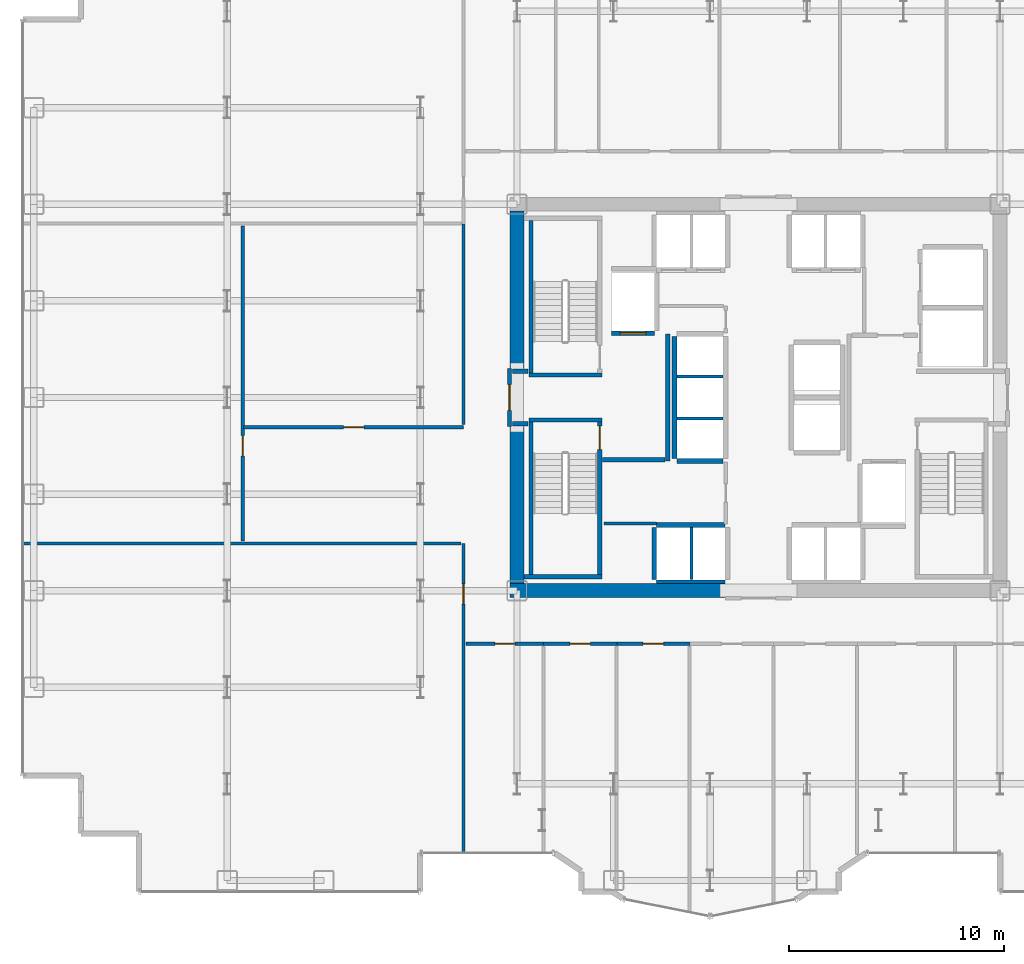
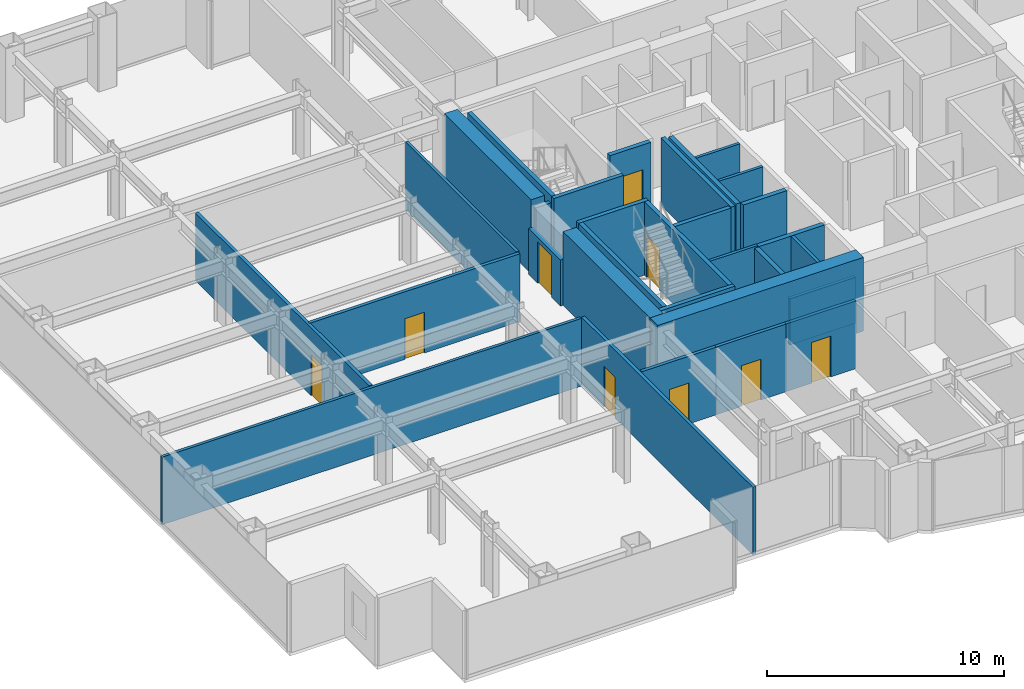
# One storey, part 20 of 26: 32 walls, 9 doors, 9 openings.
"""IFC4 building model written with IfcOpenShell, lengths in metres."""

from ifc_helpers import new_model, si_unit, direction, frame, frame_2d, origin, place, context, subcontext, project, spatial, rectangle, extrude, source, transform, mapped, material, layer, layer_set, type_object, element, fill, save


model = new_model("IFC4")

# Units and contexts
model_context = context("Model", 3, precision=1e-05, world=origin(), true_north=direction((0.0, 1.0)))
body_context = subcontext(model_context, "Body", "Model", "MODEL_VIEW")
ifc_project = project(units=[si_unit("LENGTHUNIT", "METRE"), si_unit("AREAUNIT", "SQUARE_METRE"), si_unit("VOLUMEUNIT", "CUBIC_METRE"), si_unit("PLANEANGLEUNIT", "RADIAN"), si_unit("MASSUNIT", "GRAM", prefix="KILO")], contexts=[model_context])

# Site, building, storey
site_placement = place(None, origin())
site = spatial("IfcSite", under=ifc_project, at=site_placement, CompositionType="ELEMENT")
building_placement = place(site_placement, origin())
building = spatial("IfcBuilding", under=site, at=building_placement, Name="Nefas-Gora Pilgrimage Tower", CompositionType="ELEMENT")
storey_placement = place(building_placement, frame((0.0, 0.0, 82.39990234375)))
storey = spatial("IfcBuildingStorey", under=building, at=storey_placement, Name="L19", CompositionType="ELEMENT", Elevation=82.39990234375)

# Walls
ifc_material_1 = material(Name="Concrete C60/75", Category="concrete")
ifc_layer_1 = layer(ifc_material_1, 0.64990234375)
ifc_layer_set_1 = layer_set([ifc_layer_1], Name="Concrete C60/75")
wall_type_1 = type_object("IfcWallType", Name="SW-CORE-650", PredefinedType="SHEAR", material=ifc_layer_set_1)
shared_shape_1 = source(origin(), body_context, "Body", "SweptSolid", [
    extrude(rectangle(XDim=10.02490234375, YDim=0.64990234375, at=frame_2d((5.012451171875, 0.0))), origin(), (0.0, 0.0, 1.0), 3.800048828125),
])
wall_1_placement = place(storey_placement, frame((-11.574951171875, -9.0, 0.0), z_axis=(0.0, 0.0, 1.0), x_axis=(1.0, 0.0, 0.0)))
element("IfcWall", 1, at=wall_1_placement, inside=storey, type_object=wall_type_1, Name="L19 Core Shear Wall S-West", PredefinedType="SHEAR", context=body_context, shape_type="MappedRepresentation", body=[
    mapped(shared_shape_1, transform((0.0, 0.0, 0.0), x_axis=(1.0, 0.0, 0.0), y_axis=(0.0, 1.0, 0.0), z_axis=(0.0, 0.0, 1.0), scale=1.0)),
])
shared_shape_2 = source(origin(), body_context, "Body", "SweptSolid", [
    extrude(rectangle(XDim=7.324951171875, YDim=0.64990234375, at=frame_2d((3.66259765625, 0.0))), origin(), (0.0, 0.0, 1.0), 3.800048828125),
])
for number, where, z_axis, x_axis, name in (
    (2, (-11.25, -8.675048828125, 0.0), (0.0, 0.0, 1.0), (0.0, 1.0, 0.0), "L19 Core Shear Wall W-South"),
    (3, (-11.25, 1.35009765625, 0.0), (0.0, 0.0, 1.0), (0.0, 1.0, 0.0), "L19 Core Shear Wall W-North"),
):
    element("IfcWall", number, at=place(storey_placement, frame(where, z_axis=z_axis, x_axis=x_axis)), inside=storey, type_object=wall_type_1, Name=name, PredefinedType="SHEAR", context=body_context, shape_type="MappedRepresentation", body=[
        mapped(shared_shape_2, transform((0.0, 0.0, 0.0), x_axis=(1.0, 0.0, 0.0), y_axis=(0.0, 1.0, 0.0), z_axis=(0.0, 0.0, 1.0), scale=1.0)),
    ])
ifc_material_2 = material(Name="Concrete C45/55", Category="concrete")
ifc_layer_2 = layer(ifc_material_2, 0.199951171875)
ifc_layer_set_2 = layer_set([ifc_layer_2], Name="Concrete C45/55")
wall_type_2 = type_object("IfcWallType", Name="IW-STAIR-200", PredefinedType="SOLIDWALL", material=ifc_layer_set_2)
shared_shape_3 = source(origin(), body_context, "Body", "SweptSolid", [
    extrude(rectangle(XDim=3.39990234375, YDim=0.199951171875, at=frame_2d((1.699951171875, 0.0))), origin(), (0.0, 0.0, 1.0), 3.800048828125),
])
for number, where, z_axis, x_axis, name in (
    (4, (-7.300048828125, 1.050048828125, 0.0), (0.0, 0.0, 1.0), (-1.0, 0.0, 0.0), "L19 Stairwell Shear Wall ST-01-near"),
    (5, (-10.699951171875, -1.050048828125, 0.0), (0.0, 0.0, 1.0), (1.0, 0.0, 0.0), "L19 Stairwell Shear Wall ST-03-near"),
):
    element("IfcWall", number, at=place(storey_placement, frame(where, z_axis=z_axis, x_axis=x_axis)), inside=storey, type_object=wall_type_2, Name=name, PredefinedType="SOLIDWALL", context=body_context, shape_type="MappedRepresentation", body=[
        mapped(shared_shape_3, transform((0.0, 0.0, 0.0), x_axis=(1.0, 0.0, 0.0), y_axis=(0.0, 1.0, 0.0), z_axis=(0.0, 0.0, 1.0), scale=1.0)),
    ])
shared_shape_4 = source(origin(), body_context, "Body", "SweptSolid", [
    extrude(rectangle(XDim=3.6298828125, YDim=0.199951171875, at=frame_2d((1.81494140625, 0.0))), origin(), (0.0, 0.0, 1.0), 3.800048828125),
])
wall_2_placement = place(storey_placement, frame((-10.929931640625, -8.35009765625, 0.0), z_axis=(0.0, 0.0, 1.0), x_axis=(1.0, 0.0, 0.0)))
element("IfcWall", 6, at=wall_2_placement, inside=storey, type_object=wall_type_2, Name="L19 Stairwell Shear Wall ST-03-far", PredefinedType="SOLIDWALL", context=body_context, shape_type="MappedRepresentation", body=[
    mapped(shared_shape_4, transform((0.0, 0.0, 0.0), x_axis=(1.0, 0.0, 0.0), y_axis=(0.0, 1.0, 0.0), z_axis=(0.0, 0.0, 1.0), scale=1.0)),
])
shared_shape_5 = source(origin(), body_context, "Body", "SweptSolid", [
    extrude(rectangle(XDim=7.10009765625, YDim=0.199951171875, at=frame_2d((3.550048828125, 0.0))), origin(), (0.0, 0.0, 1.0), 3.800048828125),
])
for number, where, z_axis, x_axis, name in (
    (7, (-10.60009765625, 1.14990234375, 0.0), (0.0, 0.0, 1.0), (0.0, 1.0, 0.0), "L19 Stairwell Shear Wall ST-01-right"),
    (8, (-10.60009765625, -1.14990234375, 0.0), (0.0, 0.0, 1.0), (0.0, -1.0, 0.0), "L19 Stairwell Shear Wall ST-03-left"),
):
    element("IfcWall", number, at=place(storey_placement, frame(where, z_axis=z_axis, x_axis=x_axis)), inside=storey, type_object=wall_type_2, Name=name, PredefinedType="SOLIDWALL", context=body_context, shape_type="MappedRepresentation", body=[
        mapped(shared_shape_5, transform((0.0, 0.0, 0.0), x_axis=(1.0, 0.0, 0.0), y_axis=(0.0, 1.0, 0.0), z_axis=(0.0, 0.0, 1.0), scale=1.0)),
    ])

# Wall, opening, door
wall_3_placement = place(storey_placement, frame((-7.39990234375, -1.14990234375, 0.0), z_axis=(0.0, 0.0, 1.0), x_axis=(0.0, -1.0, 0.0)))
wall_3 = element("IfcWall", 9, at=wall_3_placement, inside=storey, type_object=wall_type_2, Name="L19 Stairwell Shear Wall ST-03-right", PredefinedType="SOLIDWALL", context=body_context, shape_type="MappedRepresentation", body=[
    mapped(shared_shape_5, transform((0.0, 0.0, 0.0), x_axis=(1.0, 0.0, 0.0), y_axis=(0.0, 1.0, 0.0), z_axis=(0.0, 0.0, 1.0), scale=1.0)),
])
opening_1_placement = place(wall_3_placement, frame((0.179931640625, 0.0, 0.0)))
opening_1 = element("IfcOpeningElement", 10, at=opening_1_placement, cuts=wall_3, Name="Opening ID-ST1", PredefinedType="OPENING", context=body_context, shape_type="SweptSolid", body=[
    extrude(rectangle(XDim=1.10009765625, YDim=2.14990234375, at=frame_2d((0.550048828125, 1.074951171875))), frame((0.0, 0.10986328125, 0.0), z_axis=(0.0, -1.0, 0.0), x_axis=(1.0, 0.0, 0.0)), (0.0, 0.0, 1.0), 0.219970703125),
])
ifc_material_3 = material(Name="Painted galvanised steel fire stair door", Category="steel")
door_type_1 = type_object("IfcDoorType", Name="DR-INT-STAIR-1100", OperationType="NOTDEFINED", PredefinedType="DOOR", material=ifc_material_3)
shared_shape_6 = source(origin(), body_context, "Body", "SweptSolid", [
    extrude(rectangle(XDim=1.10009765625, YDim=2.14990234375, at=frame_2d((0.550048828125, 1.074951171875))), frame((0.0, 0.02490234375, 0.0), z_axis=(0.0, -1.0, 0.0), x_axis=(1.0, 0.0, 0.0)), (0.0, 0.0, 1.0), 0.050048828125),
])
door_1_placement = place(opening_1_placement, origin())
door_1 = element("IfcDoor", 11, at=door_1_placement, inside=storey, type_object=door_type_1, Name="L19 Protected Exit Stair Door ST-03", OperationType="SINGLE_SWING_LEFT", OverallHeight=2.14990234375, OverallWidth=1.10009765625, PredefinedType="DOOR", context=body_context, shape_type="MappedRepresentation", body=[
    mapped(shared_shape_6, transform((0.0, 0.0, 0.0), x_axis=(1.0, 0.0, 0.0), y_axis=(0.0, 1.0, 0.0), z_axis=(0.0, 0.0, 1.0), scale=1.0)),
])
fill(opening_1, door_1)

ifc_material_4 = material(Name="Concrete C40/50", Category="concrete")
ifc_layer_3 = layer(ifc_material_4, 0.219970703125)
ifc_layer_set_3 = layer_set([ifc_layer_3], Name="Concrete C40/50")
wall_type_3 = type_object("IfcWallType", Name="IW-SHAFT-220", PredefinedType="SOLIDWALL", material=ifc_layer_set_3)
shared_shape_7 = source(origin(), body_context, "Body", "SweptSolid", [
    extrude(rectangle(XDim=2.0, YDim=0.219970703125, at=frame_2d((1.0, 0.0))), origin(), (0.0, 0.0, 1.0), 3.485107421875),
])
wall_4_placement = place(storey_placement, frame((-6.85009765625, 2.989990234375, 0.0), z_axis=(0.0, 0.0, 1.0), x_axis=(1.0, 0.0, 0.0)))
wall_4 = element("IfcWall", 12, at=wall_4_placement, inside=storey, type_object=wall_type_3, Name="L19 Hoistway Wall FFL-01-S", PredefinedType="SOLIDWALL", context=body_context, shape_type="MappedRepresentation", body=[
    mapped(shared_shape_7, transform((0.0, 0.0, 0.0), x_axis=(1.0, 0.0, 0.0), y_axis=(0.0, 1.0, 0.0), z_axis=(0.0, 0.0, 1.0), scale=1.0)),
])
opening_2_placement = place(wall_4_placement, frame((0.39990234375, 0.0, 0.0)))
opening_2 = element("IfcOpeningElement", 13, at=opening_2_placement, cuts=wall_4, Name="Opening LD-FF", PredefinedType="OPENING", context=body_context, shape_type="SweptSolid", body=[
    extrude(rectangle(XDim=1.199951171875, YDim=2.199951171875, at=frame_2d((0.60009765625, 1.10009765625))), frame((0.0, 0.119873046875, 0.0), z_axis=(0.0, -1.0, 0.0), x_axis=(1.0, 0.0, 0.0)), (0.0, 0.0, 1.0), 0.239990234375),
])
ifc_material_5 = material(Name="Fire-service sliding lift landing door")
door_type_2 = type_object("IfcDoorType", Name="DR-LIFT-FSAE-1200", OperationType="SLIDING_TO_LEFT", PredefinedType="DOOR", material=ifc_material_5)
shared_shape_8 = source(origin(), body_context, "Body", "SweptSolid", [
    extrude(rectangle(XDim=1.199951171875, YDim=2.199951171875, at=frame_2d((0.60009765625, 1.10009765625))), frame((0.0, 0.02490234375, 0.0), z_axis=(0.0, -1.0, 0.0), x_axis=(1.0, 0.0, 0.0)), (0.0, 0.0, 1.0), 0.050048828125),
])
door_2_placement = place(opening_2_placement, origin())
door_2 = element("IfcDoor", 14, at=door_2_placement, inside=storey, type_object=door_type_2, Name="L19 Sliding Lift Landing Door FFL-01", OperationType="SLIDING_TO_LEFT", OverallHeight=2.199951171875, OverallWidth=1.199951171875, PredefinedType="DOOR", context=body_context, shape_type="MappedRepresentation", body=[
    mapped(shared_shape_8, transform((0.0, 0.0, 0.0), x_axis=(1.0, 0.0, 0.0), y_axis=(0.0, 1.0, 0.0), z_axis=(0.0, 0.0, 1.0), scale=1.0)),
])
fill(opening_2, door_2)

# Walls
shared_shape_9 = source(origin(), body_context, "Body", "SweptSolid", [
    extrude(rectangle(XDim=3.199951171875, YDim=0.219970703125, at=frame_2d((1.60009765625, 0.0))), origin(), (0.0, 0.0, 1.0), 3.485107421875),
])
wall_5_placement = place(storey_placement, frame((-1.550048828125, -5.93994140625, 0.0), z_axis=(0.0, 0.0, 1.0), x_axis=(-1.0, 0.0, 0.0)))
element("IfcWall", 15, at=wall_5_placement, inside=storey, type_object=wall_type_3, Name="L19 Hoistway Wall PL2-W-N", PredefinedType="SOLIDWALL", context=body_context, shape_type="MappedRepresentation", body=[
    mapped(shared_shape_9, transform((0.0, 0.0, 0.0), x_axis=(1.0, 0.0, 0.0), y_axis=(0.0, 1.0, 0.0), z_axis=(0.0, 0.0, 1.0), scale=1.0)),
])
ifc_material_6 = material(Name="Gypsum acoustic stud partition")
ifc_layer_4 = layer(ifc_material_6, 0.159912109375)
ifc_layer_set_4 = layer_set([ifc_layer_4], Name="Gypsum acoustic stud partition")
wall_type_4 = type_object("IfcWallType", Name="IW-CORR-160", PredefinedType="PARTITIONING", material=ifc_layer_set_4)
shared_shape_10 = source(origin(), body_context, "Body", "SweptSolid", [
    extrude(rectangle(XDim=3.199951171875, YDim=0.159912109375, at=frame_2d((1.60009765625, 0.0))), origin(), (0.0, 0.0, 1.0), 2.375),
])
wall_6_placement = place(storey_placement, frame((-4.75, -8.580078125, 0.0), z_axis=(0.0, 0.0, 1.0), x_axis=(1.0, 0.0, 0.0)))
element("IfcWall", 16, at=wall_6_placement, inside=storey, type_object=wall_type_4, Name="L19 Hoistway Wall PL2-W-S", PredefinedType="PARTITIONING", context=body_context, shape_type="MappedRepresentation", body=[
    mapped(shared_shape_10, transform((0.0, 0.0, 0.0), x_axis=(1.0, 0.0, 0.0), y_axis=(0.0, 1.0, 0.0), z_axis=(0.0, 0.0, 1.0), scale=1.0)),
])
shared_shape_11 = source(origin(), body_context, "Body", "SweptSolid", [
    extrude(rectangle(XDim=2.429931640625, YDim=0.219970703125, at=frame_2d((1.21484375, 0.0))), origin(), (0.0, 0.0, 1.0), 3.485107421875),
])
wall_7_placement = place(storey_placement, frame((-4.860107421875, -6.06005859375, 0.0), z_axis=(0.0, 0.0, 1.0), x_axis=(0.0, -1.0, 0.0)))
element("IfcWall", 17, at=wall_7_placement, inside=storey, type_object=wall_type_3, Name="L19 Hoistway Wall PL2-W-W", PredefinedType="SOLIDWALL", context=body_context, shape_type="MappedRepresentation", body=[
    mapped(shared_shape_11, transform((0.0, 0.0, 0.0), x_axis=(1.0, 0.0, 0.0), y_axis=(0.0, 1.0, 0.0), z_axis=(0.0, 0.0, 1.0), scale=1.0)),
])
ifc_material_7 = material(Name="Gypsum twin-stud partition")
ifc_layer_5 = layer(ifc_material_7, 0.139892578125)
ifc_layer_set_5 = layer_set([ifc_layer_5], Name="Gypsum twin-stud partition")
wall_type_5 = type_object("IfcWallType", Name="IW-UNIT-140", PredefinedType="PARTITIONING", material=ifc_layer_set_5)
shared_shape_12 = source(origin(), body_context, "Body", "SweptSolid", [
    extrude(rectangle(XDim=2.429931640625, YDim=0.139892578125, at=frame_2d((1.21484375, 0.0))), origin(), (0.0, 0.0, 1.0), 3.485107421875),
])
wall_8_placement = place(storey_placement, frame((-3.125, -8.489990234375, 0.0), z_axis=(0.0, 0.0, 1.0), x_axis=(0.0, 1.0, 0.0)))
element("IfcWall", 18, at=wall_8_placement, inside=storey, type_object=wall_type_5, Name="L19 Hoistway Wall PL2-W-DIV", PredefinedType="PARTITIONING", context=body_context, shape_type="MappedRepresentation", body=[
    mapped(shared_shape_12, transform((0.0, 0.0, 0.0), x_axis=(1.0, 0.0, 0.0), y_axis=(0.0, 1.0, 0.0), z_axis=(0.0, 0.0, 1.0), scale=1.0)),
])
shared_shape_13 = source(origin(), body_context, "Body", "SweptSolid", [
    extrude(rectangle(XDim=5.7001953125, YDim=0.219970703125, at=frame_2d((2.85009765625, 0.0))), origin(), (0.0, 0.0, 1.0), 3.485107421875),
])
wall_9_placement = place(storey_placement, frame((-3.909912109375, 2.85009765625, 0.0), z_axis=(0.0, 0.0, 1.0), x_axis=(0.0, -1.0, 0.0)))
element("IfcWall", 19, at=wall_9_placement, inside=storey, type_object=wall_type_3, Name="L19 Hoistway Wall PL3-01-03-W", PredefinedType="SOLIDWALL", context=body_context, shape_type="MappedRepresentation", body=[
    mapped(shared_shape_13, transform((0.0, 0.0, 0.0), x_axis=(1.0, 0.0, 0.0), y_axis=(0.0, 1.0, 0.0), z_axis=(0.0, 0.0, 1.0), scale=1.0)),
])
shared_shape_14 = source(origin(), body_context, "Body", "SweptSolid", [
    extrude(rectangle(XDim=2.130126953125, YDim=0.219970703125, at=frame_2d((1.06494140625, 0.0))), origin(), (0.0, 0.0, 1.0), 3.485107421875),
])
wall_10_placement = place(storey_placement, frame((-3.7900390625, -2.9599609375, 0.0), z_axis=(0.0, 0.0, 1.0), x_axis=(1.0, 0.0, 0.0)))
element("IfcWall", 20, at=wall_10_placement, inside=storey, type_object=wall_type_3, Name="L19 Hoistway Wall PL3-01-S", PredefinedType="SOLIDWALL", context=body_context, shape_type="MappedRepresentation", body=[
    mapped(shared_shape_14, transform((0.0, 0.0, 0.0), x_axis=(1.0, 0.0, 0.0), y_axis=(0.0, 1.0, 0.0), z_axis=(0.0, 0.0, 1.0), scale=1.0)),
])
shared_shape_15 = source(origin(), body_context, "Body", "SweptSolid", [
    extrude(rectangle(XDim=2.130126953125, YDim=0.139892578125, at=frame_2d((1.06494140625, 0.0))), origin(), (0.0, 0.0, 1.0), 3.485107421875),
])
for number, where, z_axis, x_axis, name in (
    (21, (-3.7900390625, -0.97509765625, 0.0), (0.0, 0.0, 1.0), (1.0, 0.0, 0.0), "L19 Hoistway Wall PL3-01-02-DIV"),
    (22, (-3.7900390625, 0.97509765625, 0.0), (0.0, 0.0, 1.0), (1.0, 0.0, 0.0), "L19 Hoistway Wall PL3-02-03-DIV"),
):
    element("IfcWall", number, at=place(storey_placement, frame(where, z_axis=z_axis, x_axis=x_axis)), inside=storey, type_object=wall_type_5, Name=name, PredefinedType="PARTITIONING", context=body_context, shape_type="MappedRepresentation", body=[
        mapped(shared_shape_15, transform((0.0, 0.0, 0.0), x_axis=(1.0, 0.0, 0.0), y_axis=(0.0, 1.0, 0.0), z_axis=(0.0, 0.0, 1.0), scale=1.0)),
    ])

# Wall, opening, door
ifc_material_8 = material(Name="Gypsum fire-rated shaftwall")
ifc_layer_6 = layer(ifc_material_8, 0.199951171875)
ifc_layer_set_6 = layer_set([ifc_layer_6], Name="Gypsum fire-rated shaftwall")
wall_type_6 = type_object("IfcWallType", Name="IW-FFLOB-200", PredefinedType="PARTITIONING", material=ifc_layer_set_6)
shared_shape_16 = source(origin(), body_context, "Body", "SweptSolid", [
    extrude(rectangle(XDim=2.7001953125, YDim=0.199951171875, at=frame_2d((1.35009765625, 0.0))), origin(), (0.0, 0.0, 1.0), 2.375),
])
wall_11_placement = place(storey_placement, frame((-11.60009765625, -1.35009765625, 0.0), z_axis=(0.0, 0.0, 1.0), x_axis=(0.0, 1.0, 0.0)))
wall_11 = element("IfcWall", 23, at=wall_11_placement, inside=storey, type_object=wall_type_6, Name="L19 FF Lobby West Portal Wall 3", PredefinedType="PARTITIONING", context=body_context, shape_type="MappedRepresentation", body=[
    mapped(shared_shape_16, transform((0.0, 0.0, 0.0), x_axis=(1.0, 0.0, 0.0), y_axis=(0.0, 1.0, 0.0), z_axis=(0.0, 0.0, 1.0), scale=1.0)),
])
opening_3_placement = place(wall_11_placement, frame((0.75, 0.0, 0.0)))
opening_3 = element("IfcOpeningElement", 24, at=opening_3_placement, cuts=wall_11, Name="Opening ID-FF1", PredefinedType="OPENING", context=body_context, shape_type="SweptSolid", body=[
    extrude(rectangle(XDim=1.199951171875, YDim=2.14990234375, at=frame_2d((0.60009765625, 1.074951171875))), frame((0.0, 0.10986328125, 0.0), z_axis=(0.0, -1.0, 0.0), x_axis=(1.0, 0.0, 0.0)), (0.0, 0.0, 1.0), 0.219970703125),
])
ifc_material_9 = material(Name="Smoke-sealed steel firefighting lobby door", Category="steel")
door_type_3 = type_object("IfcDoorType", Name="DR-INT-FFLOB-1200", OperationType="NOTDEFINED", PredefinedType="DOOR", material=ifc_material_9)
shared_shape_17 = source(origin(), body_context, "Body", "SweptSolid", [
    extrude(rectangle(XDim=1.199951171875, YDim=2.14990234375, at=frame_2d((0.60009765625, 1.074951171875))), frame((0.0, 0.02490234375, 0.0), z_axis=(0.0, -1.0, 0.0), x_axis=(1.0, 0.0, 0.0)), (0.0, 0.0, 1.0), 0.050048828125),
])
door_3_placement = place(opening_3_placement, origin())
door_3 = element("IfcDoor", 25, at=door_3_placement, inside=storey, type_object=door_type_3, Name="L19 FF Lobby West Portal Door 1", OperationType="SINGLE_SWING_RIGHT", OverallHeight=2.14990234375, OverallWidth=1.199951171875, PredefinedType="DOOR", context=body_context, shape_type="MappedRepresentation", body=[
    mapped(shared_shape_17, transform((0.0, 0.0, 0.0), x_axis=(1.0, 0.0, 0.0), y_axis=(0.0, 1.0, 0.0), z_axis=(0.0, 0.0, 1.0), scale=1.0)),
])
fill(opening_3, door_3)

# Walls
shared_shape_18 = source(origin(), body_context, "Body", "SweptSolid", [
    extrude(rectangle(XDim=5.89990234375, YDim=0.199951171875, at=frame_2d((2.949951171875, 0.0))), origin(), (0.0, 0.0, 1.0), 3.485107421875),
])
wall_12_placement = place(storey_placement, frame((-4.219970703125, -2.949951171875, 0.0), z_axis=(0.0, 0.0, 1.0), x_axis=(0.0, 1.0, 0.0)))
element("IfcWall", 26, at=wall_12_placement, inside=storey, type_object=wall_type_6, Name="L19 FF Lobby West Inner Wall Wall 4", PredefinedType="PARTITIONING", context=body_context, shape_type="MappedRepresentation", body=[
    mapped(shared_shape_18, transform((0.0, 0.0, 0.0), x_axis=(1.0, 0.0, 0.0), y_axis=(0.0, 1.0, 0.0), z_axis=(0.0, 0.0, 1.0), scale=1.0)),
])
shared_shape_19 = source(origin(), body_context, "Body", "SweptSolid", [
    extrude(rectangle(XDim=2.89990234375, YDim=0.199951171875, at=frame_2d((1.449951171875, 0.0))), origin(), (0.0, 0.0, 1.0), 3.485107421875),
])
wall_13_placement = place(storey_placement, frame((-7.260009765625, -2.89990234375, 0.0), z_axis=(0.0, 0.0, 1.0), x_axis=(1.0, 0.0, 0.0)))
element("IfcWall", 27, at=wall_13_placement, inside=storey, type_object=wall_type_6, Name="L19 FF Lobby West South Wall Wall 5", PredefinedType="PARTITIONING", context=body_context, shape_type="MappedRepresentation", body=[
    mapped(shared_shape_19, transform((0.0, 0.0, 0.0), x_axis=(1.0, 0.0, 0.0), y_axis=(0.0, 1.0, 0.0), z_axis=(0.0, 0.0, 1.0), scale=1.0)),
])
shared_shape_20 = source(origin(), body_context, "Body", "SweptSolid", [
    extrude(rectangle(XDim=0.719970703125, YDim=0.199951171875, at=frame_2d((0.35986328125, 0.0))), origin(), (0.0, 0.0, 1.0), 3.485107421875),
])
for number, where, z_axis, x_axis, name in (
    (28, (-11.4599609375, 1.219970703125, 0.0), (0.0, 0.0, 1.0), (1.0, 0.0, 0.0), "L19 FF Lobby West Throat N Wall 6"),
    (29, (-11.4599609375, -1.219970703125, 0.0), (0.0, 0.0, 1.0), (1.0, 0.0, 0.0), "L19 FF Lobby West Throat S Wall 7"),
):
    element("IfcWall", number, at=place(storey_placement, frame(where, z_axis=z_axis, x_axis=x_axis)), inside=storey, type_object=wall_type_6, Name=name, PredefinedType="PARTITIONING", context=body_context, shape_type="MappedRepresentation", body=[
        mapped(shared_shape_20, transform((0.0, 0.0, 0.0), x_axis=(1.0, 0.0, 0.0), y_axis=(0.0, 1.0, 0.0), z_axis=(0.0, 0.0, 1.0), scale=1.0)),
    ])
shared_shape_21 = source(origin(), body_context, "Body", "SweptSolid", [
    extrude(rectangle(XDim=2.43505859375, YDim=0.139892578125, at=frame_2d((1.217529296875, 0.0))), origin(), (0.0, 0.0, 1.0), 3.485107421875),
])
wall_14_placement = place(storey_placement, frame((-7.18994140625, -5.8798828125, 0.0), z_axis=(0.0, 0.0, 1.0), x_axis=(1.0, 0.0, 0.0)))
element("IfcWall", 30, at=wall_14_placement, inside=storey, type_object=wall_type_5, Name="L19 Pilgrim Baggage and Gear Vault Partition Wall 23", PredefinedType="PARTITIONING", context=body_context, shape_type="MappedRepresentation", body=[
    mapped(shared_shape_21, transform((0.0, 0.0, 0.0), x_axis=(1.0, 0.0, 0.0), y_axis=(0.0, 1.0, 0.0), z_axis=(0.0, 0.0, 1.0), scale=1.0)),
])

# Wall, opening, door
shared_shape_22 = source(origin(), body_context, "Body", "SweptSolid", [
    extrude(rectangle(XDim=14.445068359375, YDim=0.159912109375, at=frame_2d((7.22265625, 0.0))), origin(), (0.0, 0.0, 1.0), 3.485107421875),
])
wall_15_placement = place(storey_placement, frame((-13.739990234375, -21.239990234375, 0.0), z_axis=(0.0, 0.0, 1.0), x_axis=(0.0, 1.0, 0.0)))
wall_15 = element("IfcWall", 31, at=wall_15_placement, inside=storey, type_object=wall_type_4, Name="L19 Pilgrim Devotional Prayer Gallery Partition Wall 27", PredefinedType="PARTITIONING", context=body_context, shape_type="MappedRepresentation", body=[
    mapped(shared_shape_22, transform((0.0, 0.0, 0.0), x_axis=(1.0, 0.0, 0.0), y_axis=(0.0, 1.0, 0.0), z_axis=(0.0, 0.0, 1.0), scale=1.0)),
])
opening_4_placement = place(wall_15_placement, frame((11.612548828125, 0.0, 0.0)))
opening_4 = element("IfcOpeningElement", 32, at=opening_4_placement, cuts=wall_15, Name="Opening ID-GR1", PredefinedType="OPENING", context=body_context, shape_type="SweptSolid", body=[
    extrude(rectangle(XDim=0.949951171875, YDim=2.10009765625, at=frame_2d((0.47509765625, 1.050048828125))), frame((0.0, 0.08984375, 0.0), z_axis=(0.0, -1.0, 0.0), x_axis=(1.0, 0.0, 0.0)), (0.0, 0.0, 1.0), 0.179931640625),
])
ifc_material_10 = material(Name="Solid core oak fire-rated guest entrance door")
door_type_4 = type_object("IfcDoorType", Name="DR-INT-GUEST-950", OperationType="NOTDEFINED", PredefinedType="DOOR", material=ifc_material_10)
shared_shape_23 = source(origin(), body_context, "Body", "SweptSolid", [
    extrude(rectangle(XDim=0.949951171875, YDim=2.10009765625, at=frame_2d((0.47509765625, 1.050048828125))), frame((0.0, 0.02490234375, 0.0), z_axis=(0.0, -1.0, 0.0), x_axis=(1.0, 0.0, 0.0)), (0.0, 0.0, 1.0), 0.050048828125),
])
door_4_placement = place(opening_4_placement, origin())
door_4 = element("IfcDoor", 33, at=door_4_placement, inside=storey, type_object=door_type_4, Name="L19 Pilgrim Devotional Prayer Gallery Door 10", OperationType="SINGLE_SWING_LEFT", OverallHeight=2.10009765625, OverallWidth=0.949951171875, PredefinedType="DOOR", context=body_context, shape_type="MappedRepresentation", body=[
    mapped(shared_shape_23, transform((0.0, 0.0, 0.0), x_axis=(1.0, 0.0, 0.0), y_axis=(0.0, 1.0, 0.0), z_axis=(0.0, 0.0, 1.0), scale=1.0)),
])
fill(opening_4, door_4)

# Wall
shared_shape_24 = source(origin(), body_context, "Body", "SweptSolid", [
    extrude(rectangle(XDim=20.429931640625, YDim=0.139892578125, at=frame_2d((10.21484375, 0.0))), origin(), (0.0, 0.0, 1.0), 3.485107421875),
])
wall_16_placement = place(storey_placement, frame((-34.2900390625, -6.804931640625, 0.0), z_axis=(0.0, 0.0, 1.0), x_axis=(1.0, 0.0, 0.0)))
element("IfcWall", 34, at=wall_16_placement, inside=storey, type_object=wall_type_5, Name="L19 Pilgrim Devotional Prayer Gallery Partition Wall 28", PredefinedType="PARTITIONING", context=body_context, shape_type="MappedRepresentation", body=[
    mapped(shared_shape_24, transform((0.0, 0.0, 0.0), x_axis=(1.0, 0.0, 0.0), y_axis=(0.0, 1.0, 0.0), z_axis=(0.0, 0.0, 1.0), scale=1.0)),
])

# Wall, opening, door
shared_shape_25 = source(origin(), body_context, "Body", "SweptSolid", [
    extrude(rectangle(XDim=10.25, YDim=0.159912109375, at=frame_2d((5.125, 0.0))), origin(), (0.0, 0.0, 1.0), 3.485107421875),
])
wall_17_placement = place(storey_placement, frame((-23.97998046875, -1.3798828125, 0.0), z_axis=(0.0, 0.0, 1.0), x_axis=(1.0, 0.0, 0.0)))
wall_17 = element("IfcWall", 35, at=wall_17_placement, inside=storey, type_object=wall_type_4, Name="L19 Pilgrim Devotional Prayer Gallery Partition Wall 31", PredefinedType="PARTITIONING", context=body_context, shape_type="MappedRepresentation", body=[
    mapped(shared_shape_25, transform((0.0, 0.0, 0.0), x_axis=(1.0, 0.0, 0.0), y_axis=(0.0, 1.0, 0.0), z_axis=(0.0, 0.0, 1.0), scale=1.0)),
])
opening_5_placement = place(wall_17_placement, frame((4.64990234375, 0.0, 0.0)))
opening_5 = element("IfcOpeningElement", 36, at=opening_5_placement, cuts=wall_17, Name="Opening ID-GR1", PredefinedType="OPENING", context=body_context, shape_type="SweptSolid", body=[
    extrude(rectangle(XDim=0.949951171875, YDim=2.10009765625, at=frame_2d((0.47509765625, 1.050048828125))), frame((0.0, 0.08984375, 0.0), z_axis=(0.0, -1.0, 0.0), x_axis=(1.0, 0.0, 0.0)), (0.0, 0.0, 1.0), 0.179931640625),
])
door_5_placement = place(opening_5_placement, origin())
door_5 = element("IfcDoor", 37, at=door_5_placement, inside=storey, type_object=door_type_4, Name="L19 Pilgrim Devotional Prayer Gallery Door 12", OperationType="SINGLE_SWING_LEFT", OverallHeight=2.10009765625, OverallWidth=0.949951171875, PredefinedType="DOOR", context=body_context, shape_type="MappedRepresentation", body=[
    mapped(shared_shape_23, transform((0.0, 0.0, 0.0), x_axis=(1.0, 0.0, 0.0), y_axis=(0.0, 1.0, 0.0), z_axis=(0.0, 0.0, 1.0), scale=1.0)),
])
fill(opening_5, door_5)

# Wall
shared_shape_26 = source(origin(), body_context, "Body", "SweptSolid", [
    extrude(rectangle(XDim=9.347412109375, YDim=0.139892578125, at=frame_2d((4.673828125, 0.0))), origin(), (0.0, 0.0, 1.0), 3.485107421875),
])
wall_18_placement = place(storey_placement, frame((-13.739990234375, -1.260009765625, 0.0), z_axis=(0.0, 0.0, 1.0), x_axis=(0.0, 1.0, 0.0)))
element("IfcWall", 38, at=wall_18_placement, inside=storey, type_object=wall_type_5, Name="L19 Pilgrim Devotional Prayer Gallery Partition Wall 32", PredefinedType="PARTITIONING", context=body_context, shape_type="MappedRepresentation", body=[
    mapped(shared_shape_26, transform((0.0, 0.0, 0.0), x_axis=(1.0, 0.0, 0.0), y_axis=(0.0, 1.0, 0.0), z_axis=(0.0, 0.0, 1.0), scale=1.0)),
])

# Wall, opening, door
shared_shape_27 = source(origin(), body_context, "Body", "SweptSolid", [
    extrude(rectangle(XDim=14.6826171875, YDim=0.159912109375, at=frame_2d((7.34130859375, 0.0))), origin(), (0.0, 0.0, 1.0), 3.485107421875),
])
wall_19_placement = place(storey_placement, frame((-24.02001953125, -6.695068359375, 0.0), z_axis=(0.0, 0.0, 1.0), x_axis=(0.0, 1.0, 0.0)))
wall_19 = element("IfcWall", 39, at=wall_19_placement, inside=storey, type_object=wall_type_4, Name="L19 Pilgrim Tea and Beverage Pantry Partition Wall 33", PredefinedType="PARTITIONING", context=body_context, shape_type="MappedRepresentation", body=[
    mapped(shared_shape_27, transform((0.0, 0.0, 0.0), x_axis=(1.0, 0.0, 0.0), y_axis=(0.0, 1.0, 0.0), z_axis=(0.0, 0.0, 1.0), scale=1.0)),
])
opening_6_placement = place(wall_19_placement, frame((3.969970703125, 0.0, 0.0)))
opening_6 = element("IfcOpeningElement", 40, at=opening_6_placement, cuts=wall_19, Name="Opening ID-GR1", PredefinedType="OPENING", context=body_context, shape_type="SweptSolid", body=[
    extrude(rectangle(XDim=0.949951171875, YDim=2.10009765625, at=frame_2d((0.47509765625, 1.050048828125))), frame((0.0, 0.08984375, 0.0), z_axis=(0.0, -1.0, 0.0), x_axis=(1.0, 0.0, 0.0)), (0.0, 0.0, 1.0), 0.179931640625),
])
door_6_placement = place(opening_6_placement, origin())
door_6 = element("IfcDoor", 41, at=door_6_placement, inside=storey, type_object=door_type_4, Name="L19 Pilgrim Tea and Beverage Pantry Door 13", OperationType="SINGLE_SWING_RIGHT", OverallHeight=2.10009765625, OverallWidth=0.949951171875, PredefinedType="DOOR", context=body_context, shape_type="MappedRepresentation", body=[
    mapped(shared_shape_23, transform((0.0, 0.0, 0.0), x_axis=(1.0, 0.0, 0.0), y_axis=(0.0, 1.0, 0.0), z_axis=(0.0, 0.0, 1.0), scale=1.0)),
])
fill(opening_6, door_6)

shared_shape_28 = source(origin(), body_context, "Body", "SweptSolid", [
    extrude(rectangle(XDim=3.625, YDim=0.159912109375, at=frame_2d((1.8125, 0.0))), origin(), (0.0, 0.0, 1.0), 3.485107421875),
])
wall_20_placement = place(storey_placement, frame((-13.6201171875, -11.469970703125, 0.0), z_axis=(0.0, 0.0, 1.0), x_axis=(1.0, 0.0, 0.0)))
wall_20 = element("IfcWall", 42, at=wall_20_placement, inside=storey, type_object=wall_type_4, Name="L19 Pilgrim Contemplative Lounge Partition Wall 52", PredefinedType="PARTITIONING", context=body_context, shape_type="MappedRepresentation", body=[
    mapped(shared_shape_28, transform((0.0, 0.0, 0.0), x_axis=(1.0, 0.0, 0.0), y_axis=(0.0, 1.0, 0.0), z_axis=(0.0, 0.0, 1.0), scale=1.0)),
])
opening_7_placement = place(wall_20_placement, frame((1.33740234375, 0.0, 0.0)))
opening_7 = element("IfcOpeningElement", 43, at=opening_7_placement, cuts=wall_20, Name="Opening ID-GR1", PredefinedType="OPENING", context=body_context, shape_type="SweptSolid", body=[
    extrude(rectangle(XDim=0.949951171875, YDim=2.10009765625, at=frame_2d((0.47509765625, 1.050048828125))), frame((0.0, 0.08984375, 0.0), z_axis=(0.0, -1.0, 0.0), x_axis=(1.0, 0.0, 0.0)), (0.0, 0.0, 1.0), 0.179931640625),
])
door_7_placement = place(opening_7_placement, origin())
door_7 = element("IfcDoor", 44, at=door_7_placement, inside=storey, type_object=door_type_4, Name="L19 Pilgrim Contemplative Lounge Door 24", OperationType="SINGLE_SWING_LEFT", OverallHeight=2.10009765625, OverallWidth=0.949951171875, PredefinedType="DOOR", context=body_context, shape_type="MappedRepresentation", body=[
    mapped(shared_shape_23, transform((0.0, 0.0, 0.0), x_axis=(1.0, 0.0, 0.0), y_axis=(0.0, 1.0, 0.0), z_axis=(0.0, 0.0, 1.0), scale=1.0)),
])
fill(opening_7, door_7)

shared_shape_29 = source(origin(), body_context, "Body", "SweptSolid", [
    extrude(rectangle(XDim=3.40478515625, YDim=0.159912109375, at=frame_2d((1.702392578125, 0.0))), origin(), (0.0, 0.0, 1.0), 3.485107421875),
])
wall_21_placement = place(storey_placement, frame((-10.0048828125, -11.469970703125, 0.0), z_axis=(0.0, 0.0, 1.0), x_axis=(1.0, 0.0, 0.0)))
wall_21 = element("IfcWall", 45, at=wall_21_placement, inside=storey, type_object=wall_type_4, Name="L19 Pilgrim Contemplative Lounge Partition Wall 54", PredefinedType="PARTITIONING", context=body_context, shape_type="MappedRepresentation", body=[
    mapped(shared_shape_29, transform((0.0, 0.0, 0.0), x_axis=(1.0, 0.0, 0.0), y_axis=(0.0, 1.0, 0.0), z_axis=(0.0, 0.0, 1.0), scale=1.0)),
])
opening_8_placement = place(wall_21_placement, frame((1.2275390625, 0.0, 0.0)))
opening_8 = element("IfcOpeningElement", 46, at=opening_8_placement, cuts=wall_21, Name="Opening ID-GR1", PredefinedType="OPENING", context=body_context, shape_type="SweptSolid", body=[
    extrude(rectangle(XDim=0.949951171875, YDim=2.10009765625, at=frame_2d((0.47509765625, 1.050048828125))), frame((0.0, 0.08984375, 0.0), z_axis=(0.0, -1.0, 0.0), x_axis=(1.0, 0.0, 0.0)), (0.0, 0.0, 1.0), 0.179931640625),
])
door_8_placement = place(opening_8_placement, origin())
door_8 = element("IfcDoor", 47, at=door_8_placement, inside=storey, type_object=door_type_4, Name="L19 Pilgrim Contemplative Lounge Door 25", OperationType="SINGLE_SWING_RIGHT", OverallHeight=2.10009765625, OverallWidth=0.949951171875, PredefinedType="DOOR", context=body_context, shape_type="MappedRepresentation", body=[
    mapped(shared_shape_23, transform((0.0, 0.0, 0.0), x_axis=(1.0, 0.0, 0.0), y_axis=(0.0, 1.0, 0.0), z_axis=(0.0, 0.0, 1.0), scale=1.0)),
])
fill(opening_8, door_8)

shared_shape_30 = source(origin(), body_context, "Body", "SweptSolid", [
    extrude(rectangle(XDim=3.405029296875, YDim=0.159912109375, at=frame_2d((1.70263671875, 0.0))), origin(), (0.0, 0.0, 1.0), 3.485107421875),
])
wall_22_placement = place(storey_placement, frame((-6.60009765625, -11.469970703125, 0.0), z_axis=(0.0, 0.0, 1.0), x_axis=(1.0, 0.0, 0.0)))
wall_22 = element("IfcWall", 48, at=wall_22_placement, inside=storey, type_object=wall_type_4, Name="L19 Pastoral Chaplains Counselling Office Partition Wall 56", PredefinedType="PARTITIONING", context=body_context, shape_type="MappedRepresentation", body=[
    mapped(shared_shape_30, transform((0.0, 0.0, 0.0), x_axis=(1.0, 0.0, 0.0), y_axis=(0.0, 1.0, 0.0), z_axis=(0.0, 0.0, 1.0), scale=1.0)),
])
opening_9_placement = place(wall_22_placement, frame((1.2275390625, 0.0, 0.0)))
opening_9 = element("IfcOpeningElement", 49, at=opening_9_placement, cuts=wall_22, Name="Opening ID-GR1", PredefinedType="OPENING", context=body_context, shape_type="SweptSolid", body=[
    extrude(rectangle(XDim=0.949951171875, YDim=2.10009765625, at=frame_2d((0.47509765625, 1.050048828125))), frame((0.0, 0.08984375, 0.0), z_axis=(0.0, -1.0, 0.0), x_axis=(1.0, 0.0, 0.0)), (0.0, 0.0, 1.0), 0.179931640625),
])
door_9_placement = place(opening_9_placement, origin())
door_9 = element("IfcDoor", 50, at=door_9_placement, inside=storey, type_object=door_type_4, Name="L19 Pastoral Chaplains Counselling Office Door 26", OperationType="SINGLE_SWING_LEFT", OverallHeight=2.10009765625, OverallWidth=0.949951171875, PredefinedType="DOOR", context=body_context, shape_type="MappedRepresentation", body=[
    mapped(shared_shape_23, transform((0.0, 0.0, 0.0), x_axis=(1.0, 0.0, 0.0), y_axis=(0.0, 1.0, 0.0), z_axis=(0.0, 0.0, 1.0), scale=1.0)),
])
fill(opening_9, door_9)

save(model, "model.ifc")
